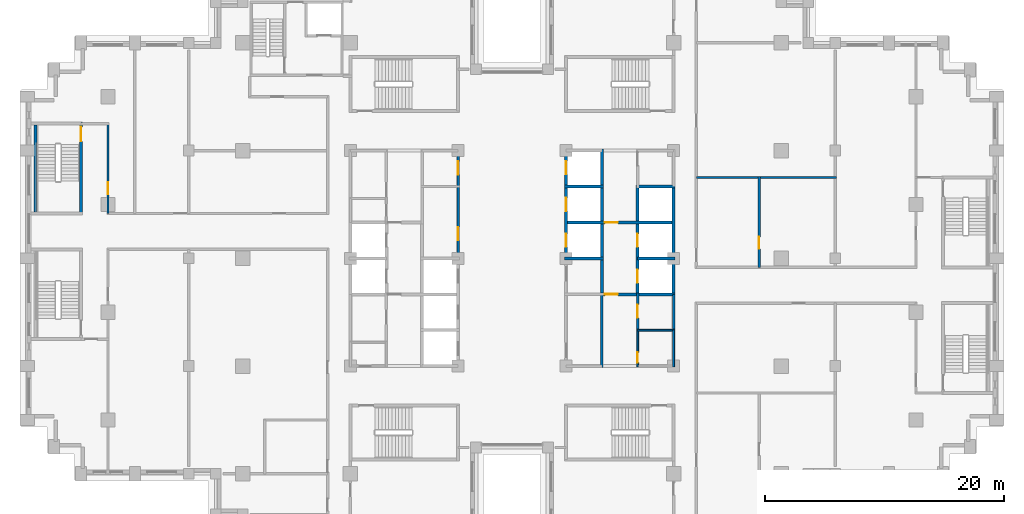
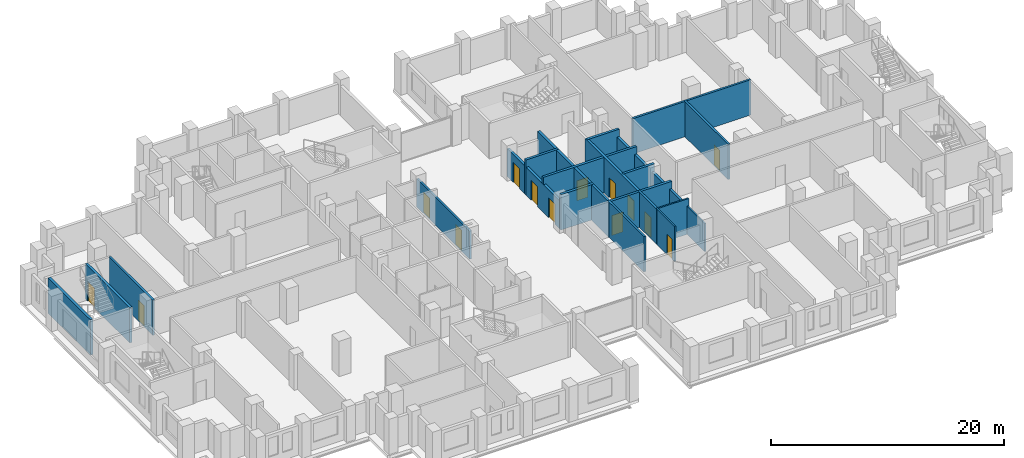
# One storey, part 9 of 16: 22 walls, 14 doors, 14 openings.
"""IFC4 building model written with IfcOpenShell, lengths in metres."""

from ifc_helpers import new_model, si_unit, direction, frame, frame_2d, origin, place, context, subcontext, project, spatial, rectangle, extrude, material, layer, layer_set, type_object, element, fill, save


model = new_model("IFC4")

# Units and contexts
model_context = context("Model", 3, precision=1e-05, world=origin(), true_north=direction((0.0, 1.0)))
body_context = subcontext(model_context, "Body", "Model", "MODEL_VIEW")
ifc_project = project(units=[si_unit("LENGTHUNIT", "METRE"), si_unit("AREAUNIT", "SQUARE_METRE"), si_unit("VOLUMEUNIT", "CUBIC_METRE"), si_unit("PLANEANGLEUNIT", "RADIAN"), si_unit("MASSUNIT", "GRAM", prefix="KILO")], contexts=[model_context])

# Site, building, storey
site_placement = place(None, origin())
site = spatial("IfcSite", under=ifc_project, at=site_placement, CompositionType="ELEMENT")
building_placement = place(site_placement, origin())
building = spatial("IfcBuilding", under=site, at=building_placement, Name="Corbelhall Arena Tower", CompositionType="ELEMENT")
storey_placement = place(building_placement, frame((0.0, 0.0, 76.0)))
storey = spatial("IfcBuildingStorey", under=building, at=storey_placement, Name="L11", CompositionType="ELEMENT", Elevation=76.0)

# Wall, opening, door
ifc_material_1 = material(Name="Gypsum board on steel stud, acoustic", Category="steel")
ifc_layer_1 = layer(ifc_material_1, 0.199951171875)
ifc_layer_set_1 = layer_set([ifc_layer_1], Name="IN-W-DM200")
wall_type_1 = type_object("IfcWallType", Name="IN-W-DM200", PredefinedType="PARTITIONING", material=ifc_layer_set_1)
wall_1_placement = place(storey_placement, frame((-33.75, 11.25, 0.0), z_axis=(0.0, 0.0, 1.0), x_axis=(0.0, -1.0, 0.0)))
wall_1 = element("IfcWall", 1, at=wall_1_placement, inside=storey, type_object=wall_type_1, Name="Partition 004", PredefinedType="PARTITIONING", context=body_context, shape_type="SweptSolid", body=[
    extrude(rectangle(XDim=7.5, YDim=0.199951171875, at=frame_2d((3.75, 0.0))), origin(), (0.0, 0.0, 1.0), 3.699951171875),
])
opening_1_placement = place(wall_1_placement, frame((4.89990234375, 0.0, 0.0)))
opening_1 = element("IfcOpeningElement", 2, at=opening_1_placement, cuts=wall_1, Name="Opening 01040", PredefinedType="OPENING", context=body_context, shape_type="SweptSolid", body=[
    extrude(rectangle(XDim=1.0, YDim=2.10009765625, at=frame_2d((0.5, 1.050048828125))), frame((0.0, 0.10009765625, 0.0), z_axis=(0.0, -1.0, 0.0), x_axis=(1.0, 0.0, 0.0)), (0.0, 0.0, 1.0), 0.199951171875),
])
ifc_material_2 = material(Name="Steel door set", Category="steel")
door_type_1 = type_object("IfcDoorType", Name="IN-D-SW100", OperationType="NOTDEFINED", PredefinedType="DOOR", material=ifc_material_2)
door_1_placement = place(opening_1_placement, origin())
door_1 = element("IfcDoor", 3, at=door_1_placement, inside=storey, type_object=door_type_1, Name="Door 040", OperationType="SINGLE_SWING_LEFT", OverallHeight=2.10009765625, OverallWidth=1.0, PredefinedType="DOOR", context=body_context, shape_type="SweptSolid", body=[
    extrude(rectangle(XDim=1.0, YDim=2.10009765625, at=frame_2d((0.5, 1.050048828125))), frame((0.0, 0.02490234375, 0.0), z_axis=(0.0, -1.0, 0.0), x_axis=(1.0, 0.0, 0.0)), (0.0, 0.0, 1.0), 0.050048828125),
])
fill(opening_1, door_1)

# Wall
wall_2_placement = place(storey_placement, frame((15.39990234375, 6.75, 0.0), z_axis=(0.0, 0.0, 1.0), x_axis=(1.0, 0.0, 0.0)))
element("IfcWall", 4, at=wall_2_placement, inside=storey, type_object=wall_type_1, Name="Partition 032", PredefinedType="PARTITIONING", context=body_context, shape_type="SweptSolid", body=[
    extrude(rectangle(XDim=11.7001953125, YDim=0.199951171875, at=frame_2d((5.85009765625, 0.0))), origin(), (0.0, 0.0, 1.0), 3.699951171875),
])

# Wall, opening, door
wall_3_placement = place(storey_placement, frame((20.64990234375, 6.85009765625, 0.0), z_axis=(0.0, 0.0, 1.0), x_axis=(0.0, -1.0, 0.0)))
wall_3 = element("IfcWall", 5, at=wall_3_placement, inside=storey, type_object=wall_type_1, Name="Partition 036", PredefinedType="PARTITIONING", context=body_context, shape_type="SweptSolid", body=[
    extrude(rectangle(XDim=7.60009765625, YDim=0.199951171875, at=frame_2d((3.800048828125, 0.0))), origin(), (0.0, 0.0, 1.0), 3.699951171875),
])
opening_2_placement = place(wall_3_placement, frame((5.050048828125, 0.0, 0.0)))
opening_2 = element("IfcOpeningElement", 6, at=opening_2_placement, cuts=wall_3, Name="Opening 01034", PredefinedType="OPENING", context=body_context, shape_type="SweptSolid", body=[
    extrude(rectangle(XDim=1.0, YDim=2.10009765625, at=frame_2d((0.5, 1.050048828125))), frame((0.0, 0.10009765625, 0.0), z_axis=(0.0, -1.0, 0.0), x_axis=(1.0, 0.0, 0.0)), (0.0, 0.0, 1.0), 0.199951171875),
])
door_2_placement = place(opening_2_placement, origin())
door_2 = element("IfcDoor", 7, at=door_2_placement, inside=storey, type_object=door_type_1, Name="Door 034", OperationType="SINGLE_SWING_LEFT", OverallHeight=2.10009765625, OverallWidth=1.0, PredefinedType="DOOR", context=body_context, shape_type="SweptSolid", body=[
    extrude(rectangle(XDim=1.0, YDim=2.10009765625, at=frame_2d((0.5, 1.050048828125))), frame((0.0, 0.02490234375, 0.0), z_axis=(0.0, -1.0, 0.0), x_axis=(1.0, 0.0, 0.0)), (0.0, 0.0, 1.0), 0.050048828125),
])
fill(opening_2, door_2)

# Wall
ifc_material_3 = material(Name="Concrete block wall", Category="concrete")
ifc_layer_2 = layer(ifc_material_3, 0.199951171875)
ifc_layer_set_2 = layer_set([ifc_layer_2], Name="IN-W-RS200")
wall_type_2 = type_object("IfcWallType", Name="IN-W-RS200", PredefinedType="SOLIDWALL", material=ifc_layer_set_2)
wall_4_placement = place(storey_placement, frame((7.5, -2.875, 0.0), z_axis=(0.0, 0.0, 1.0), x_axis=(0.0, -1.0, 0.0)))
element("IfcWall", 8, at=wall_4_placement, inside=storey, type_object=wall_type_2, Name="Partition 056", PredefinedType="SOLIDWALL", context=body_context, shape_type="SweptSolid", body=[
    extrude(rectangle(XDim=6.22509765625, YDim=0.199951171875, at=frame_2d((3.112548828125, 0.0))), origin(), (0.0, 0.0, 1.0), 3.699951171875),
])

# Wall, opening, door
wall_5_placement = place(storey_placement, frame((10.5, -2.875, 0.0), z_axis=(0.0, 0.0, 1.0), x_axis=(0.0, -1.0, 0.0)))
wall_5 = element("IfcWall", 9, at=wall_5_placement, inside=storey, type_object=wall_type_2, Name="Partition 057", PredefinedType="SOLIDWALL", context=body_context, shape_type="SweptSolid", body=[
    extrude(rectangle(XDim=3.199951171875, YDim=0.199951171875, at=frame_2d((1.60009765625, 0.0))), origin(), (0.0, 0.0, 1.0), 3.699951171875),
])
opening_3_placement = place(wall_5_placement, frame((1.0, 0.0, 0.0)))
opening_3 = element("IfcOpeningElement", 10, at=opening_3_placement, cuts=wall_5, Name="Opening 01013", PredefinedType="OPENING", context=body_context, shape_type="SweptSolid", body=[
    extrude(rectangle(XDim=1.10009765625, YDim=2.10009765625, at=frame_2d((0.550048828125, 1.050048828125))), frame((0.0, 0.10009765625, 0.0), z_axis=(0.0, -1.0, 0.0), x_axis=(1.0, 0.0, 0.0)), (0.0, 0.0, 1.0), 0.199951171875),
])
door_type_2 = type_object("IfcDoorType", Name="IN-D-FD110", OperationType="NOTDEFINED", PredefinedType="DOOR", material=ifc_material_2)
door_3_placement = place(opening_3_placement, origin())
door_3 = element("IfcDoor", 11, at=door_3_placement, inside=storey, type_object=door_type_2, Name="Door 013", OperationType="SINGLE_SWING_RIGHT", OverallHeight=2.10009765625, OverallWidth=1.10009765625, PredefinedType="DOOR", context=body_context, shape_type="SweptSolid", body=[
    extrude(rectangle(XDim=1.10009765625, YDim=2.10009765625, at=frame_2d((0.550048828125, 1.050048828125))), frame((0.0, 0.02490234375, 0.0), z_axis=(0.0, -1.0, 0.0), x_axis=(1.0, 0.0, 0.0)), (0.0, 0.0, 1.0), 0.050048828125),
])
fill(opening_3, door_3)

# Wall, openings, doors
ifc_layer_3 = layer(ifc_material_3, 0.199951171875)
ifc_layer_set_3 = layer_set([ifc_layer_3], Name="IN-W-RS200 under beam 762 mm")
wall_type_3 = type_object("IfcWallType", Name="IN-W-RS200 under beam 762 mm", PredefinedType="SOLIDWALL", material=ifc_layer_set_3)
wall_6_placement = place(storey_placement, frame((-4.5, 9.10009765625, 0.0), z_axis=(0.0, 0.0, 1.0), x_axis=(0.0, -1.0, 0.0)))
wall_6 = element("IfcWall", 12, at=wall_6_placement, inside=storey, type_object=wall_type_3, Name="Partition 052", PredefinedType="SOLIDWALL", context=body_context, shape_type="SweptSolid", body=[
    extrude(rectangle(XDim=9.10009765625, YDim=0.199951171875, at=frame_2d((4.550048828125, 0.0))), origin(), (0.0, 0.0, 1.0), 2.93798828125),
])
opening_4_placement = place(wall_6_placement, frame((6.5, 0.0, 0.0)))
opening_4 = element("IfcOpeningElement", 13, at=opening_4_placement, cuts=wall_6, Name="Opening 01001", PredefinedType="OPENING", context=body_context, shape_type="SweptSolid", body=[
    extrude(rectangle(XDim=1.10009765625, YDim=2.10009765625, at=frame_2d((0.550048828125, 1.050048828125))), frame((0.0, 0.10009765625, 0.0), z_axis=(0.0, -1.0, 0.0), x_axis=(1.0, 0.0, 0.0)), (0.0, 0.0, 1.0), 0.199951171875),
])
opening_5_placement = place(wall_6_placement, frame((1.0, 0.0, 0.0)))
opening_5 = element("IfcOpeningElement", 14, at=opening_5_placement, cuts=wall_6, Name="Opening 01002", PredefinedType="OPENING", context=body_context, shape_type="SweptSolid", body=[
    extrude(rectangle(XDim=1.10009765625, YDim=2.10009765625, at=frame_2d((0.550048828125, 1.050048828125))), frame((0.0, 0.10009765625, 0.0), z_axis=(0.0, -1.0, 0.0), x_axis=(1.0, 0.0, 0.0)), (0.0, 0.0, 1.0), 0.199951171875),
])
door_4_placement = place(opening_4_placement, origin())
door_4 = element("IfcDoor", 15, at=door_4_placement, inside=storey, type_object=door_type_2, Name="Door 001", OperationType="SINGLE_SWING_RIGHT", OverallHeight=2.10009765625, OverallWidth=1.10009765625, PredefinedType="DOOR", context=body_context, shape_type="SweptSolid", body=[
    extrude(rectangle(XDim=1.10009765625, YDim=2.10009765625, at=frame_2d((0.550048828125, 1.050048828125))), frame((0.0, 0.02490234375, 0.0), z_axis=(0.0, -1.0, 0.0), x_axis=(1.0, 0.0, 0.0)), (0.0, 0.0, 1.0), 0.050048828125),
])
fill(opening_4, door_4)
door_5_placement = place(opening_5_placement, origin())
door_5 = element("IfcDoor", 16, at=door_5_placement, inside=storey, type_object=door_type_2, Name="Door 002", OperationType="SINGLE_SWING_LEFT", OverallHeight=2.10009765625, OverallWidth=1.10009765625, PredefinedType="DOOR", context=body_context, shape_type="SweptSolid", body=[
    extrude(rectangle(XDim=1.10009765625, YDim=2.10009765625, at=frame_2d((0.550048828125, 1.050048828125))), frame((0.0, 0.02490234375, 0.0), z_axis=(0.0, -1.0, 0.0), x_axis=(1.0, 0.0, 0.0)), (0.0, 0.0, 1.0), 0.050048828125),
])
fill(opening_5, door_5)

# Walls
wall_7_placement = place(storey_placement, frame((13.5, -3.0, 0.0), z_axis=(0.0, 0.0, 1.0), x_axis=(0.0, -1.0, 0.0)))
element("IfcWall", 17, at=wall_7_placement, inside=storey, type_object=wall_type_3, Name="Partition 060", PredefinedType="SOLIDWALL", context=body_context, shape_type="SweptSolid", body=[
    extrude(rectangle(XDim=3.0, YDim=0.199951171875, at=frame_2d((1.5, 0.0))), origin(), (0.0, 0.0, 1.0), 2.93798828125),
])
ifc_material_4 = material(Name="Concrete C40/50", Category="concrete")
ifc_layer_4 = layer(ifc_material_4, 0.25)
ifc_layer_set_4 = layer_set([ifc_layer_4], Name="IN-W-SH250")
wall_type_4 = type_object("IfcWallType", Name="IN-W-SH250", PredefinedType="SOLIDWALL", material=ifc_layer_set_4)
wall_8_placement = place(storey_placement, frame((4.375, 0.0, 0.0), z_axis=(0.0, 0.0, 1.0), x_axis=(1.0, 0.0, 0.0)))
element("IfcWall", 18, at=wall_8_placement, inside=storey, type_object=wall_type_4, Name="Shaft wall 072", PredefinedType="SOLIDWALL", context=body_context, shape_type="SweptSolid", body=[
    extrude(rectangle(XDim=3.25, YDim=0.25, at=frame_2d((1.625, 0.0))), origin(), (0.0, 0.0, 1.0), 3.699951171875),
])

# Wall, opening, door
wall_9_placement = place(storey_placement, frame((4.375, 3.0, 0.0), z_axis=(0.0, 0.0, 1.0), x_axis=(1.0, 0.0, 0.0)))
wall_9 = element("IfcWall", 19, at=wall_9_placement, inside=storey, type_object=wall_type_4, Name="Shaft wall 073", PredefinedType="SOLIDWALL", context=body_context, shape_type="SweptSolid", body=[
    extrude(rectangle(XDim=9.25, YDim=0.25, at=frame_2d((4.625, 0.0))), origin(), (0.0, 0.0, 1.0), 3.699951171875),
])
opening_6_placement = place(wall_9_placement, frame((3.375, 0.0, 0.0)))
opening_6 = element("IfcOpeningElement", 20, at=opening_6_placement, cuts=wall_9, Name="Opening 01011", PredefinedType="OPENING", context=body_context, shape_type="SweptSolid", body=[
    extrude(rectangle(XDim=1.10009765625, YDim=2.10009765625, at=frame_2d((0.550048828125, 1.050048828125))), frame((0.0, 0.125, 0.0), z_axis=(0.0, -1.0, 0.0), x_axis=(1.0, 0.0, 0.0)), (0.0, 0.0, 1.0), 0.25),
])
door_6_placement = place(opening_6_placement, origin())
door_6 = element("IfcDoor", 21, at=door_6_placement, inside=storey, type_object=door_type_2, Name="Door 011", OperationType="SINGLE_SWING_RIGHT", OverallHeight=2.10009765625, OverallWidth=1.10009765625, PredefinedType="DOOR", context=body_context, shape_type="SweptSolid", body=[
    extrude(rectangle(XDim=1.10009765625, YDim=2.10009765625, at=frame_2d((0.550048828125, 1.050048828125))), frame((0.0, 0.02490234375, 0.0), z_axis=(0.0, -1.0, 0.0), x_axis=(1.0, 0.0, 0.0)), (0.0, 0.0, 1.0), 0.050048828125),
])
fill(opening_6, door_6)

# Wall
wall_10_placement = place(storey_placement, frame((4.375, 6.0, 0.0), z_axis=(0.0, 0.0, 1.0), x_axis=(1.0, 0.0, 0.0)))
element("IfcWall", 22, at=wall_10_placement, inside=storey, type_object=wall_type_4, Name="Shaft wall 074", PredefinedType="SOLIDWALL", context=body_context, shape_type="SweptSolid", body=[
    extrude(rectangle(XDim=3.25, YDim=0.25, at=frame_2d((1.625, 0.0))), origin(), (0.0, 0.0, 1.0), 3.699951171875),
])

# Wall, opening, door
wall_11_placement = place(storey_placement, frame((7.5, -3.0, 0.0), z_axis=(0.0, 0.0, 1.0), x_axis=(1.0, 0.0, 0.0)))
wall_11 = element("IfcWall", 23, at=wall_11_placement, inside=storey, type_object=wall_type_4, Name="Shaft wall 077", PredefinedType="SOLIDWALL", context=body_context, shape_type="SweptSolid", body=[
    extrude(rectangle(XDim=6.125, YDim=0.25, at=frame_2d((3.0625, 0.0))), origin(), (0.0, 0.0, 1.0), 3.699951171875),
])
opening_7_placement = place(wall_11_placement, frame((0.25, 0.0, 0.0)))
opening_7 = element("IfcOpeningElement", 24, at=opening_7_placement, cuts=wall_11, Name="Opening 01010", PredefinedType="OPENING", context=body_context, shape_type="SweptSolid", body=[
    extrude(rectangle(XDim=1.10009765625, YDim=2.10009765625, at=frame_2d((0.550048828125, 1.050048828125))), frame((0.0, 0.125, 0.0), z_axis=(0.0, -1.0, 0.0), x_axis=(1.0, 0.0, 0.0)), (0.0, 0.0, 1.0), 0.25),
])
door_7_placement = place(opening_7_placement, origin())
door_7 = element("IfcDoor", 25, at=door_7_placement, inside=storey, type_object=door_type_2, Name="Door 010", OperationType="SINGLE_SWING_LEFT", OverallHeight=2.10009765625, OverallWidth=1.10009765625, PredefinedType="DOOR", context=body_context, shape_type="SweptSolid", body=[
    extrude(rectangle(XDim=1.10009765625, YDim=2.10009765625, at=frame_2d((0.550048828125, 1.050048828125))), frame((0.0, 0.02490234375, 0.0), z_axis=(0.0, -1.0, 0.0), x_axis=(1.0, 0.0, 0.0)), (0.0, 0.0, 1.0), 0.050048828125),
])
fill(opening_7, door_7)

# Walls
wall_12_placement = place(storey_placement, frame((7.5, 9.125, 0.0), z_axis=(0.0, 0.0, 1.0), x_axis=(0.0, -1.0, 0.0)))
element("IfcWall", 26, at=wall_12_placement, inside=storey, type_object=wall_type_4, Name="Shaft wall 078", PredefinedType="SOLIDWALL", context=body_context, shape_type="SweptSolid", body=[
    extrude(rectangle(XDim=12.25, YDim=0.25, at=frame_2d((6.125, 0.0))), origin(), (0.0, 0.0, 1.0), 3.699951171875),
])
wall_13_placement = place(storey_placement, frame((10.5, 0.0, 0.0), z_axis=(0.0, 0.0, 1.0), x_axis=(1.0, 0.0, 0.0)))
element("IfcWall", 27, at=wall_13_placement, inside=storey, type_object=wall_type_4, Name="Shaft wall 079", PredefinedType="SOLIDWALL", context=body_context, shape_type="SweptSolid", body=[
    extrude(rectangle(XDim=3.125, YDim=0.25, at=frame_2d((1.5625, 0.0))), origin(), (0.0, 0.0, 1.0), 3.699951171875),
])

# Wall, openings, doors
wall_14_placement = place(storey_placement, frame((10.5, 6.125, 0.0), z_axis=(0.0, 0.0, 1.0), x_axis=(0.0, -1.0, 0.0)))
wall_14 = element("IfcWall", 28, at=wall_14_placement, inside=storey, type_object=wall_type_4, Name="Shaft wall 080", PredefinedType="SOLIDWALL", context=body_context, shape_type="SweptSolid", body=[
    extrude(rectangle(XDim=9.25, YDim=0.25, at=frame_2d((4.625, 0.0))), origin(), (0.0, 0.0, 1.0), 3.699951171875),
])
opening_8_placement = place(wall_14_placement, frame((7.074951171875, 0.0, 0.0)))
opening_8 = element("IfcOpeningElement", 29, at=opening_8_placement, cuts=wall_14, Name="Opening LD", PredefinedType="OPENING", context=body_context, shape_type="SweptSolid", body=[
    extrude(rectangle(XDim=1.10009765625, YDim=2.10009765625, at=frame_2d((0.550048828125, 1.050048828125))), frame((0.0, 0.125, 0.0), z_axis=(0.0, -1.0, 0.0), x_axis=(1.0, 0.0, 0.0)), (0.0, 0.0, 1.0), 0.25),
])
opening_9_placement = place(wall_14_placement, frame((4.074951171875, 0.0, 0.0)))
opening_9 = element("IfcOpeningElement", 30, at=opening_9_placement, cuts=wall_14, Name="Opening LD", PredefinedType="OPENING", context=body_context, shape_type="SweptSolid", body=[
    extrude(rectangle(XDim=1.10009765625, YDim=2.10009765625, at=frame_2d((0.550048828125, 1.050048828125))), frame((0.0, 0.125, 0.0), z_axis=(0.0, -1.0, 0.0), x_axis=(1.0, 0.0, 0.0)), (0.0, 0.0, 1.0), 0.25),
])
door_type_3 = type_object("IfcDoorType", Name="IN-D-LD110", OperationType="NOTDEFINED", PredefinedType="DOOR", material=ifc_material_2)
door_8_placement = place(opening_8_placement, origin())
door_8 = element("IfcDoor", 31, at=door_8_placement, inside=storey, type_object=door_type_3, Name="Landing door E3", OperationType="SLIDING_TO_LEFT", OverallHeight=2.10009765625, OverallWidth=1.10009765625, PredefinedType="DOOR", context=body_context, shape_type="SweptSolid", body=[
    extrude(rectangle(XDim=1.10009765625, YDim=2.10009765625, at=frame_2d((0.550048828125, 1.050048828125))), frame((0.0, 0.02490234375, 0.0), z_axis=(0.0, -1.0, 0.0), x_axis=(1.0, 0.0, 0.0)), (0.0, 0.0, 1.0), 0.050048828125),
])
fill(opening_8, door_8)
door_9_placement = place(opening_9_placement, origin())
door_9 = element("IfcDoor", 32, at=door_9_placement, inside=storey, type_object=door_type_3, Name="Landing door E4", OperationType="SLIDING_TO_LEFT", OverallHeight=2.10009765625, OverallWidth=1.10009765625, PredefinedType="DOOR", context=body_context, shape_type="SweptSolid", body=[
    extrude(rectangle(XDim=1.10009765625, YDim=2.10009765625, at=frame_2d((0.550048828125, 1.050048828125))), frame((0.0, 0.02490234375, 0.0), z_axis=(0.0, -1.0, 0.0), x_axis=(1.0, 0.0, 0.0)), (0.0, 0.0, 1.0), 0.050048828125),
])
fill(opening_9, door_9)

# Wall
wall_15_placement = place(storey_placement, frame((10.5, 6.0, 0.0), z_axis=(0.0, 0.0, 1.0), x_axis=(1.0, 0.0, 0.0)))
element("IfcWall", 33, at=wall_15_placement, inside=storey, type_object=wall_type_4, Name="Shaft wall 081", PredefinedType="SOLIDWALL", context=body_context, shape_type="SweptSolid", body=[
    extrude(rectangle(XDim=3.125, YDim=0.25, at=frame_2d((1.5625, 0.0))), origin(), (0.0, 0.0, 1.0), 3.699951171875),
])

# Wall, openings, doors
ifc_layer_5 = layer(ifc_material_4, 0.25)
ifc_layer_set_5 = layer_set([ifc_layer_5], Name="IN-W-SH250 under beam 762 mm")
wall_type_5 = type_object("IfcWallType", Name="IN-W-SH250 under beam 762 mm", PredefinedType="SOLIDWALL", material=ifc_layer_set_5)
wall_16_placement = place(storey_placement, frame((4.5, 0.0, 0.0), z_axis=(0.0, 0.0, 1.0), x_axis=(0.0, 1.0, 0.0)))
wall_16 = element("IfcWall", 34, at=wall_16_placement, inside=storey, type_object=wall_type_5, Name="Shaft wall 075", PredefinedType="SOLIDWALL", context=body_context, shape_type="SweptSolid", body=[
    extrude(rectangle(XDim=9.125, YDim=0.25, at=frame_2d((4.5625, 0.0))), origin(), (0.0, 0.0, 1.0), 2.93798828125),
])
opening_10_placement = place(wall_16_placement, frame((0.949951171875, 0.0, 0.0)))
opening_10 = element("IfcOpeningElement", 35, at=opening_10_placement, cuts=wall_16, Name="Opening LD", PredefinedType="OPENING", context=body_context, shape_type="SweptSolid", body=[
    extrude(rectangle(XDim=1.10009765625, YDim=2.10009765625, at=frame_2d((0.550048828125, 1.050048828125))), frame((0.0, 0.125, 0.0), z_axis=(0.0, -1.0, 0.0), x_axis=(1.0, 0.0, 0.0)), (0.0, 0.0, 1.0), 0.25),
])
opening_11_placement = place(wall_16_placement, frame((3.949951171875, 0.0, 0.0)))
opening_11 = element("IfcOpeningElement", 36, at=opening_11_placement, cuts=wall_16, Name="Opening LD", PredefinedType="OPENING", context=body_context, shape_type="SweptSolid", body=[
    extrude(rectangle(XDim=1.10009765625, YDim=2.10009765625, at=frame_2d((0.550048828125, 1.050048828125))), frame((0.0, 0.125, 0.0), z_axis=(0.0, -1.0, 0.0), x_axis=(1.0, 0.0, 0.0)), (0.0, 0.0, 1.0), 0.25),
])
opening_12_placement = place(wall_16_placement, frame((7.012451171875, 0.0, 0.0)))
opening_12 = element("IfcOpeningElement", 37, at=opening_12_placement, cuts=wall_16, Name="Opening LD", PredefinedType="OPENING", context=body_context, shape_type="SweptSolid", body=[
    extrude(rectangle(XDim=1.10009765625, YDim=2.10009765625, at=frame_2d((0.550048828125, 1.050048828125))), frame((0.0, 0.125, 0.0), z_axis=(0.0, -1.0, 0.0), x_axis=(1.0, 0.0, 0.0)), (0.0, 0.0, 1.0), 0.25),
])
door_10_placement = place(opening_10_placement, origin())
door_10 = element("IfcDoor", 38, at=door_10_placement, inside=storey, type_object=door_type_3, Name="Landing door E4", OperationType="SLIDING_TO_LEFT", OverallHeight=2.10009765625, OverallWidth=1.10009765625, PredefinedType="DOOR", context=body_context, shape_type="SweptSolid", body=[
    extrude(rectangle(XDim=1.10009765625, YDim=2.10009765625, at=frame_2d((0.550048828125, 1.050048828125))), frame((0.0, 0.02490234375, 0.0), z_axis=(0.0, -1.0, 0.0), x_axis=(1.0, 0.0, 0.0)), (0.0, 0.0, 1.0), 0.050048828125),
])
fill(opening_10, door_10)
door_11_placement = place(opening_11_placement, origin())
door_11 = element("IfcDoor", 39, at=door_11_placement, inside=storey, type_object=door_type_3, Name="Landing door E5", OperationType="SLIDING_TO_LEFT", OverallHeight=2.10009765625, OverallWidth=1.10009765625, PredefinedType="DOOR", context=body_context, shape_type="SweptSolid", body=[
    extrude(rectangle(XDim=1.10009765625, YDim=2.10009765625, at=frame_2d((0.550048828125, 1.050048828125))), frame((0.0, 0.02490234375, 0.0), z_axis=(0.0, -1.0, 0.0), x_axis=(1.0, 0.0, 0.0)), (0.0, 0.0, 1.0), 0.050048828125),
])
fill(opening_11, door_11)
door_12_placement = place(opening_12_placement, origin())
door_12 = element("IfcDoor", 40, at=door_12_placement, inside=storey, type_object=door_type_3, Name="Landing door E6", OperationType="SLIDING_TO_LEFT", OverallHeight=2.10009765625, OverallWidth=1.10009765625, PredefinedType="DOOR", context=body_context, shape_type="SweptSolid", body=[
    extrude(rectangle(XDim=1.10009765625, YDim=2.10009765625, at=frame_2d((0.550048828125, 1.050048828125))), frame((0.0, 0.02490234375, 0.0), z_axis=(0.0, -1.0, 0.0), x_axis=(1.0, 0.0, 0.0)), (0.0, 0.0, 1.0), 0.050048828125),
])
fill(opening_12, door_12)

# Wall
wall_17_placement = place(storey_placement, frame((13.5, 6.0, 0.0), z_axis=(0.0, 0.0, 1.0), x_axis=(0.0, -1.0, 0.0)))
element("IfcWall", 41, at=wall_17_placement, inside=storey, type_object=wall_type_5, Name="Shaft wall 082", PredefinedType="SOLIDWALL", context=body_context, shape_type="SweptSolid", body=[
    extrude(rectangle(XDim=9.0, YDim=0.25, at=frame_2d((4.5, 0.0))), origin(), (0.0, 0.0, 1.0), 2.93798828125),
])

# Wall, opening, door
ifc_layer_6 = layer(ifc_material_4, 0.25)
ifc_layer_set_6 = layer_set([ifc_layer_6], Name="IN-W-ST250")
wall_type_6 = type_object("IfcWallType", Name="IN-W-ST250", PredefinedType="SOLIDWALL", material=ifc_layer_set_6)
wall_18_placement = place(storey_placement, frame((-36.0, 11.375, 0.0), z_axis=(0.0, 0.0, 1.0), x_axis=(0.0, -1.0, 0.0)))
wall_18 = element("IfcWall", 42, at=wall_18_placement, inside=storey, type_object=wall_type_6, Name="Shaft wall 087", PredefinedType="SOLIDWALL", context=body_context, shape_type="SweptSolid", body=[
    extrude(rectangle(XDim=7.625, YDim=0.25, at=frame_2d((3.8125, 0.0))), origin(), (0.0, 0.0, 1.0), 3.699951171875),
])
opening_13_placement = place(wall_18_placement, frame((0.39990234375, 0.0, 0.0)))
opening_13 = element("IfcOpeningElement", 43, at=opening_13_placement, cuts=wall_18, Name="Opening 01019", PredefinedType="OPENING", context=body_context, shape_type="SweptSolid", body=[
    extrude(rectangle(XDim=1.199951171875, YDim=2.10009765625, at=frame_2d((0.60009765625, 1.050048828125))), frame((0.0, 0.125, 0.0), z_axis=(0.0, -1.0, 0.0), x_axis=(1.0, 0.0, 0.0)), (0.0, 0.0, 1.0), 0.25),
])
door_type_4 = type_object("IfcDoorType", Name="IN-D-ST120", OperationType="NOTDEFINED", PredefinedType="DOOR", material=ifc_material_2)
door_13_placement = place(opening_13_placement, origin())
door_13 = element("IfcDoor", 44, at=door_13_placement, inside=storey, type_object=door_type_4, Name="Door 019", OperationType="SINGLE_SWING_RIGHT", OverallHeight=2.10009765625, OverallWidth=1.199951171875, PredefinedType="DOOR", context=body_context, shape_type="SweptSolid", body=[
    extrude(rectangle(XDim=1.199951171875, YDim=2.10009765625, at=frame_2d((0.60009765625, 1.050048828125))), frame((0.0, 0.02490234375, 0.0), z_axis=(0.0, -1.0, 0.0), x_axis=(1.0, 0.0, 0.0)), (0.0, 0.0, 1.0), 0.050048828125),
])
fill(opening_13, door_13)

# Walls
wall_19_placement = place(storey_placement, frame((-39.824951171875, 3.875, 0.0), z_axis=(0.0, 0.0, 1.0), x_axis=(0.0, 1.0, 0.0)))
element("IfcWall", 45, at=wall_19_placement, inside=storey, type_object=wall_type_6, Name="Shaft wall SC1 facade side", PredefinedType="SOLIDWALL", context=body_context, shape_type="SweptSolid", body=[
    extrude(rectangle(XDim=7.25, YDim=0.25, at=frame_2d((3.625, 0.0))), origin(), (0.0, 0.0, 1.0), 3.699951171875),
])
ifc_material_5 = material(Name="Gypsum board on steel stud, moisture resistant", Category="steel")
ifc_layer_7 = layer(ifc_material_5, 0.14990234375)
ifc_layer_set_7 = layer_set([ifc_layer_7], Name="IN-W-WC150")
wall_type_7 = type_object("IfcWallType", Name="IN-W-WC150", PredefinedType="PARTITIONING", material=ifc_layer_set_7)
wall_20_placement = place(storey_placement, frame((10.5, -6.0, 0.0), z_axis=(0.0, 0.0, 1.0), x_axis=(1.0, 0.0, 0.0)))
element("IfcWall", 46, at=wall_20_placement, inside=storey, type_object=wall_type_7, Name="Partition 118", PredefinedType="PARTITIONING", context=body_context, shape_type="SweptSolid", body=[
    extrude(rectangle(XDim=3.10009765625, YDim=0.14990234375, at=frame_2d((1.550048828125, 0.0))), origin(), (0.0, 0.0, 1.0), 3.699951171875),
])

# Wall, opening, door
wall_21_placement = place(storey_placement, frame((10.5, -5.925048828125, 0.0), z_axis=(0.0, 0.0, 1.0), x_axis=(0.0, -1.0, 0.0)))
wall_21 = element("IfcWall", 47, at=wall_21_placement, inside=storey, type_object=wall_type_7, Name="Partition 119", PredefinedType="PARTITIONING", context=body_context, shape_type="SweptSolid", body=[
    extrude(rectangle(XDim=3.14990234375, YDim=0.14990234375, at=frame_2d((1.574951171875, 0.0))), origin(), (0.0, 0.0, 1.0), 3.699951171875),
])
opening_14_placement = place(wall_21_placement, frame((1.89990234375, 0.0, 0.0)))
opening_14 = element("IfcOpeningElement", 48, at=opening_14_placement, cuts=wall_21, Name="Opening 01012", PredefinedType="OPENING", context=body_context, shape_type="SweptSolid", body=[
    extrude(rectangle(XDim=0.89990234375, YDim=2.10009765625, at=frame_2d((0.449951171875, 1.050048828125))), frame((0.0, 0.074951171875, 0.0), z_axis=(0.0, -1.0, 0.0), x_axis=(1.0, 0.0, 0.0)), (0.0, 0.0, 1.0), 0.14990234375),
])
ifc_material_6 = material(Name="Timber door set", Category="wood")
door_type_5 = type_object("IfcDoorType", Name="IN-D-SW90", OperationType="NOTDEFINED", PredefinedType="DOOR", material=ifc_material_6)
door_14_placement = place(opening_14_placement, origin())
door_14 = element("IfcDoor", 49, at=door_14_placement, inside=storey, type_object=door_type_5, Name="Door 012", OperationType="SINGLE_SWING_LEFT", OverallHeight=2.10009765625, OverallWidth=0.89990234375, PredefinedType="DOOR", context=body_context, shape_type="SweptSolid", body=[
    extrude(rectangle(XDim=0.89990234375, YDim=2.10009765625, at=frame_2d((0.449951171875, 1.050048828125))), frame((0.0, 0.02490234375, 0.0), z_axis=(0.0, -1.0, 0.0), x_axis=(1.0, 0.0, 0.0)), (0.0, 0.0, 1.0), 0.050048828125),
])
fill(opening_14, door_14)

# Wall
ifc_layer_8 = layer(ifc_material_5, 0.14990234375)
ifc_layer_set_8 = layer_set([ifc_layer_8], Name="IN-W-WC150 under beam 762 mm")
wall_type_8 = type_object("IfcWallType", Name="IN-W-WC150 under beam 762 mm", PredefinedType="PARTITIONING", material=ifc_layer_set_8)
wall_22_placement = place(storey_placement, frame((13.5, -6.0, 0.0), z_axis=(0.0, 0.0, 1.0), x_axis=(0.0, -1.0, 0.0)))
element("IfcWall", 50, at=wall_22_placement, inside=storey, type_object=wall_type_8, Name="Partition 121", PredefinedType="PARTITIONING", context=body_context, shape_type="SweptSolid", body=[
    extrude(rectangle(XDim=3.074951171875, YDim=0.14990234375, at=frame_2d((1.53759765625, 0.0))), origin(), (0.0, 0.0, 1.0), 2.93798828125),
])

save(model, "model.ifc")
